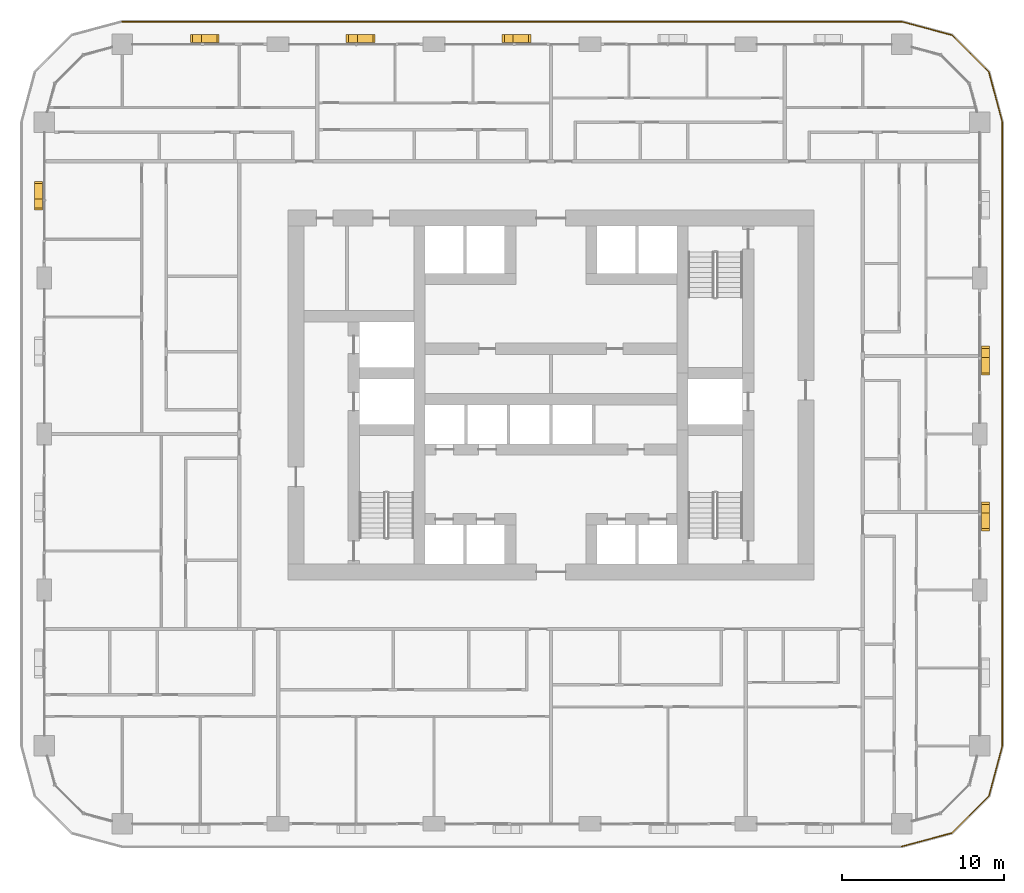
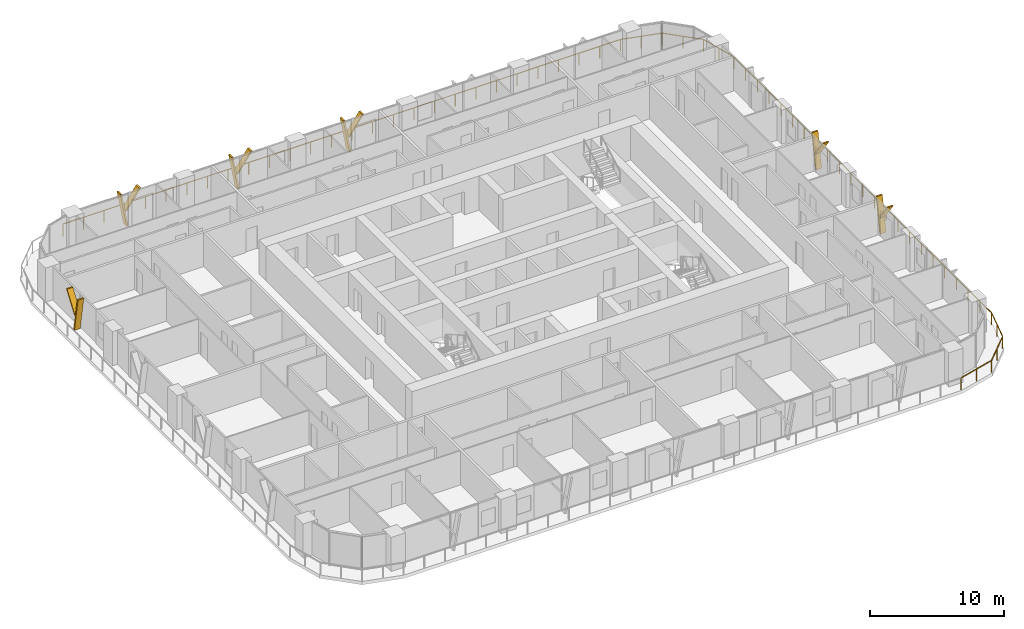
# One storey, part 20 of 21: 12 shading devices, 1 railing.
"""IFC4 building model written with IfcOpenShell, lengths in metres."""

from ifc_helpers import new_model, si_unit, direction, frame, origin, origin_2d, place, context, subcontext, project, spatial, polyline, circle, outline, extrude, material, type_object, element, save


model = new_model("IFC4")

# Units and contexts
model_context = context("Model", 3, precision=1e-05, world=origin(), true_north=direction((0.0, 1.0)))
body_context = subcontext(model_context, "Body", "Model", "MODEL_VIEW")
ifc_project = project(units=[si_unit("LENGTHUNIT", "METRE"), si_unit("AREAUNIT", "SQUARE_METRE"), si_unit("VOLUMEUNIT", "CUBIC_METRE"), si_unit("PLANEANGLEUNIT", "RADIAN"), si_unit("MASSUNIT", "GRAM", prefix="KILO")], contexts=[model_context])

# Site, building, storey
site_placement = place(None, origin())
site = spatial("IfcSite", under=ifc_project, at=site_placement, CompositionType="ELEMENT")
building_placement = place(site_placement, origin())
building = spatial("IfcBuilding", under=site, at=building_placement, Name="Madar Terraces", CompositionType="ELEMENT")
storey_placement = place(building_placement, frame((0.0, 0.0, 50.39990234375)))
storey = spatial("IfcBuildingStorey", under=building, at=storey_placement, Name="L12", CompositionType="ELEMENT", Elevation=50.39990234375)

# Railing
ifc_material_1 = material(Name="Glass, safety glazing, with stainless steel posts", Category="steel")
railing_type = type_object("IfcRailingType", Name="Balcony glass guard 1100", PredefinedType="GUARDRAIL", material=ifc_material_1)
railing_placement = place(storey_placement, frame((52.800048828125, -1.39990234375, 0.0)))
element("IfcRailing", 1, at=railing_placement, inside=storey, type_object=railing_type, Name="Balcony guard", PredefinedType="GUARDRAIL", context=body_context, shape_type="SweptSolid", body=[
    extrude(circle(Radius=0.02392578125, at=origin_2d()), frame((0.0, 0.0, 1.076171875), z_axis=(0.965928696102, 0.258808334578, 0.0), x_axis=(-0.258808334578, 0.965928696102, 0.0)), (0.0, 0.0, 1.0), 3.209228515625),
    extrude(circle(Radius=0.02392578125, at=origin_2d()), frame((3.099853515625, 0.83056640625, 1.076171875), z_axis=(0.707144815061, 0.707068745266, 0.0), x_axis=(-0.707068745266, 0.707144815061, 0.0)), (0.0, 0.0, 1.0), 3.20947265625),
    extrude(circle(Radius=0.02392578125, at=origin_2d()), frame((5.369384765625, 3.099853515625, 1.076171875), z_axis=(0.258789317819, 0.9659337912, 0.0), x_axis=(-0.9659337912, 0.258789317819, 0.0)), (0.0, 0.0, 1.0), 3.20947265625),
    extrude(circle(Radius=0.02392578125, at=origin_2d()), frame((6.199951171875, 6.199951171875, 1.076171875), z_axis=(0.0, 1.0, 0.0), x_axis=(-1.0, 0.0, 0.0)), (0.0, 0.0, 1.0), 38.39990234375),
    extrude(circle(Radius=0.02392578125, at=origin_2d()), frame((6.199951171875, 44.599853515625, 1.076171875), z_axis=(-0.258789317819, 0.9659337912, 0.0), x_axis=(-0.9659337912, -0.258789317819, 0.0)), (0.0, 0.0, 1.0), 3.20947265625),
    extrude(circle(Radius=0.02392578125, at=origin_2d()), frame((5.369384765625, 47.699951171875, 1.076171875), z_axis=(-0.707144815061, 0.707068745266, 0.0), x_axis=(-0.707068745266, -0.707144815061, 0.0)), (0.0, 0.0, 1.0), 3.20947265625),
    extrude(circle(Radius=0.02392578125, at=origin_2d()), frame((3.099853515625, 49.96923828125, 1.076171875), z_axis=(-0.965928696102, 0.258808334578, 0.0), x_axis=(-0.258808334578, -0.965928696102, 0.0)), (0.0, 0.0, 1.0), 3.209228515625),
    extrude(circle(Radius=0.02392578125, at=origin_2d()), frame((0.0, 50.7998046875, 1.076171875), z_axis=(-1.0, 0.0, 0.0), x_axis=(0.0, -1.0, 0.0)), (0.0, 0.0, 1.0), 48.0),
    extrude(circle(Radius=0.02099609375, at=origin_2d()), origin(), (0.0, 0.0, 1.0), 1.052001953125),
    extrude(circle(Radius=0.02099609375, at=origin_2d()), frame((1.5498046875, 0.415283203125, 0.0)), (0.0, 0.0, 1.0), 1.052001953125),
    extrude(circle(Radius=0.02099609375, at=origin_2d()), frame((3.099853515625, 0.83056640625, 0.0)), (0.0, 0.0, 1.0), 1.052001953125),
    extrude(circle(Radius=0.02099609375, at=origin_2d()), frame((4.234619140625, 1.96533203125, 0.0)), (0.0, 0.0, 1.0), 1.052001953125),
    extrude(circle(Radius=0.02099609375, at=origin_2d()), frame((5.369384765625, 3.099853515625, 0.0)), (0.0, 0.0, 1.0), 1.052001953125),
    extrude(circle(Radius=0.02099609375, at=origin_2d()), frame((5.78466796875, 4.64990234375, 0.0)), (0.0, 0.0, 1.0), 1.052001953125),
    extrude(circle(Radius=0.02099609375, at=origin_2d()), frame((6.199951171875, 6.199951171875, 0.0)), (0.0, 0.0, 1.0), 1.052001953125),
    extrude(circle(Radius=0.02099609375, at=origin_2d()), frame((6.199951171875, 7.9453125, 0.0)), (0.0, 0.0, 1.0), 1.052001953125),
    extrude(circle(Radius=0.02099609375, at=origin_2d()), frame((6.199951171875, 9.69091796875, 0.0)), (0.0, 0.0, 1.0), 1.052001953125),
    extrude(circle(Radius=0.02099609375, at=origin_2d()), frame((6.199951171875, 11.436279296875, 0.0)), (0.0, 0.0, 1.0), 1.052001953125),
    extrude(circle(Radius=0.02099609375, at=origin_2d()), frame((6.199951171875, 13.181640625, 0.0)), (0.0, 0.0, 1.0), 1.052001953125),
    extrude(circle(Radius=0.02099609375, at=origin_2d()), frame((6.199951171875, 14.92724609375, 0.0)), (0.0, 0.0, 1.0), 1.052001953125),
    extrude(circle(Radius=0.02099609375, at=origin_2d()), frame((6.199951171875, 16.672607421875, 0.0)), (0.0, 0.0, 1.0), 1.052001953125),
    extrude(circle(Radius=0.02099609375, at=origin_2d()), frame((6.199951171875, 18.418212890625, 0.0)), (0.0, 0.0, 1.0), 1.052001953125),
    extrude(circle(Radius=0.02099609375, at=origin_2d()), frame((6.199951171875, 20.16357421875, 0.0)), (0.0, 0.0, 1.0), 1.052001953125),
    extrude(circle(Radius=0.02099609375, at=origin_2d()), frame((6.199951171875, 21.908935546875, 0.0)), (0.0, 0.0, 1.0), 1.052001953125),
    extrude(circle(Radius=0.02099609375, at=origin_2d()), frame((6.199951171875, 23.654541015625, 0.0)), (0.0, 0.0, 1.0), 1.052001953125),
    extrude(circle(Radius=0.02099609375, at=origin_2d()), frame((6.199951171875, 25.39990234375, 0.0)), (0.0, 0.0, 1.0), 1.052001953125),
    extrude(circle(Radius=0.02099609375, at=origin_2d()), frame((6.199951171875, 27.145263671875, 0.0)), (0.0, 0.0, 1.0), 1.052001953125),
    extrude(circle(Radius=0.02099609375, at=origin_2d()), frame((6.199951171875, 28.890869140625, 0.0)), (0.0, 0.0, 1.0), 1.052001953125),
    extrude(circle(Radius=0.02099609375, at=origin_2d()), frame((6.199951171875, 30.63623046875, 0.0)), (0.0, 0.0, 1.0), 1.052001953125),
    extrude(circle(Radius=0.02099609375, at=origin_2d()), frame((6.199951171875, 32.381591796875, 0.0)), (0.0, 0.0, 1.0), 1.052001953125),
    extrude(circle(Radius=0.02099609375, at=origin_2d()), frame((6.199951171875, 34.127197265625, 0.0)), (0.0, 0.0, 1.0), 1.052001953125),
    extrude(circle(Radius=0.02099609375, at=origin_2d()), frame((6.199951171875, 35.87255859375, 0.0)), (0.0, 0.0, 1.0), 1.052001953125),
    extrude(circle(Radius=0.02099609375, at=origin_2d()), frame((6.199951171875, 37.6181640625, 0.0)), (0.0, 0.0, 1.0), 1.052001953125),
    extrude(circle(Radius=0.02099609375, at=origin_2d()), frame((6.199951171875, 39.363525390625, 0.0)), (0.0, 0.0, 1.0), 1.052001953125),
    extrude(circle(Radius=0.02099609375, at=origin_2d()), frame((6.199951171875, 41.10888671875, 0.0)), (0.0, 0.0, 1.0), 1.052001953125),
    extrude(circle(Radius=0.02099609375, at=origin_2d()), frame((6.199951171875, 42.8544921875, 0.0)), (0.0, 0.0, 1.0), 1.052001953125),
    extrude(circle(Radius=0.02099609375, at=origin_2d()), frame((6.199951171875, 44.599853515625, 0.0)), (0.0, 0.0, 1.0), 1.052001953125),
    extrude(circle(Radius=0.02099609375, at=origin_2d()), frame((5.78466796875, 46.14990234375, 0.0)), (0.0, 0.0, 1.0), 1.052001953125),
    extrude(circle(Radius=0.02099609375, at=origin_2d()), frame((5.369384765625, 47.699951171875, 0.0)), (0.0, 0.0, 1.0), 1.052001953125),
    extrude(circle(Radius=0.02099609375, at=origin_2d()), frame((4.234619140625, 48.83447265625, 0.0)), (0.0, 0.0, 1.0), 1.052001953125),
    extrude(circle(Radius=0.02099609375, at=origin_2d()), frame((3.099853515625, 49.96923828125, 0.0)), (0.0, 0.0, 1.0), 1.052001953125),
    extrude(circle(Radius=0.02099609375, at=origin_2d()), frame((1.5498046875, 50.384521484375, 0.0)), (0.0, 0.0, 1.0), 1.052001953125),
    extrude(circle(Radius=0.02099609375, at=origin_2d()), frame((0.0, 50.7998046875, 0.0)), (0.0, 0.0, 1.0), 1.052001953125),
    extrude(circle(Radius=0.02099609375, at=origin_2d()), frame((-1.77783203125, 50.7998046875, 0.0)), (0.0, 0.0, 1.0), 1.052001953125),
    extrude(circle(Radius=0.02099609375, at=origin_2d()), frame((-3.5556640625, 50.7998046875, 0.0)), (0.0, 0.0, 1.0), 1.052001953125),
    extrude(circle(Radius=0.02099609375, at=origin_2d()), frame((-5.333251953125, 50.7998046875, 0.0)), (0.0, 0.0, 1.0), 1.052001953125),
    extrude(circle(Radius=0.02099609375, at=origin_2d()), frame((-7.111083984375, 50.7998046875, 0.0)), (0.0, 0.0, 1.0), 1.052001953125),
    extrude(circle(Radius=0.02099609375, at=origin_2d()), frame((-8.888916015625, 50.7998046875, 0.0)), (0.0, 0.0, 1.0), 1.052001953125),
    extrude(circle(Radius=0.02099609375, at=origin_2d()), frame((-10.666748046875, 50.7998046875, 0.0)), (0.0, 0.0, 1.0), 1.052001953125),
    extrude(circle(Radius=0.02099609375, at=origin_2d()), frame((-12.4443359375, 50.7998046875, 0.0)), (0.0, 0.0, 1.0), 1.052001953125),
    extrude(circle(Radius=0.02099609375, at=origin_2d()), frame((-14.22216796875, 50.7998046875, 0.0)), (0.0, 0.0, 1.0), 1.052001953125),
    extrude(circle(Radius=0.02099609375, at=origin_2d()), frame((-16.0, 50.7998046875, 0.0)), (0.0, 0.0, 1.0), 1.052001953125),
    extrude(circle(Radius=0.02099609375, at=origin_2d()), frame((-17.77783203125, 50.7998046875, 0.0)), (0.0, 0.0, 1.0), 1.052001953125),
    extrude(circle(Radius=0.02099609375, at=origin_2d()), frame((-19.5556640625, 50.7998046875, 0.0)), (0.0, 0.0, 1.0), 1.052001953125),
    extrude(circle(Radius=0.02099609375, at=origin_2d()), frame((-21.333251953125, 50.7998046875, 0.0)), (0.0, 0.0, 1.0), 1.052001953125),
    extrude(circle(Radius=0.02099609375, at=origin_2d()), frame((-23.111083984375, 50.7998046875, 0.0)), (0.0, 0.0, 1.0), 1.052001953125),
    extrude(circle(Radius=0.02099609375, at=origin_2d()), frame((-24.888916015625, 50.7998046875, 0.0)), (0.0, 0.0, 1.0), 1.052001953125),
    extrude(circle(Radius=0.02099609375, at=origin_2d()), frame((-26.666748046875, 50.7998046875, 0.0)), (0.0, 0.0, 1.0), 1.052001953125),
    extrude(circle(Radius=0.02099609375, at=origin_2d()), frame((-28.4443359375, 50.7998046875, 0.0)), (0.0, 0.0, 1.0), 1.052001953125),
    extrude(circle(Radius=0.02099609375, at=origin_2d()), frame((-30.22216796875, 50.7998046875, 0.0)), (0.0, 0.0, 1.0), 1.052001953125),
    extrude(circle(Radius=0.02099609375, at=origin_2d()), frame((-32.0, 50.7998046875, 0.0)), (0.0, 0.0, 1.0), 1.052001953125),
    extrude(circle(Radius=0.02099609375, at=origin_2d()), frame((-33.77783203125, 50.7998046875, 0.0)), (0.0, 0.0, 1.0), 1.052001953125),
    extrude(circle(Radius=0.02099609375, at=origin_2d()), frame((-35.5556640625, 50.7998046875, 0.0)), (0.0, 0.0, 1.0), 1.052001953125),
    extrude(circle(Radius=0.02099609375, at=origin_2d()), frame((-37.333251953125, 50.7998046875, 0.0)), (0.0, 0.0, 1.0), 1.052001953125),
    extrude(circle(Radius=0.02099609375, at=origin_2d()), frame((-39.111083984375, 50.7998046875, 0.0)), (0.0, 0.0, 1.0), 1.052001953125),
    extrude(circle(Radius=0.02099609375, at=origin_2d()), frame((-40.888916015625, 50.7998046875, 0.0)), (0.0, 0.0, 1.0), 1.052001953125),
    extrude(circle(Radius=0.02099609375, at=origin_2d()), frame((-42.666748046875, 50.7998046875, 0.0)), (0.0, 0.0, 1.0), 1.052001953125),
    extrude(circle(Radius=0.02099609375, at=origin_2d()), frame((-44.4443359375, 50.7998046875, 0.0)), (0.0, 0.0, 1.0), 1.052001953125),
    extrude(circle(Radius=0.02099609375, at=origin_2d()), frame((-46.22216796875, 50.7998046875, 0.0)), (0.0, 0.0, 1.0), 1.052001953125),
    extrude(circle(Radius=0.02099609375, at=origin_2d()), frame((-48.0, 50.7998046875, 0.0)), (0.0, 0.0, 1.0), 1.052001953125),
])

# Shading devices
ifc_material_2 = material(Name="Aluminium, black anodised", Category="aluminium")
shading_device_type = type_object("IfcShadingDeviceType", Name="Facade fin blade 140 x 500", PredefinedType="USERDEFINED", material=ifc_material_2)
shading_device_1_placement = place(storey_placement, frame((57.949951171875, 19.1298828125, 0.0), z_axis=(0.0, 0.0, 1.0), x_axis=(0.0, 1.0, 0.0)))
element("IfcShadingDevice", 2, at=shading_device_1_placement, inside=storey, type_object=shading_device_type, Name="FIN L12 E2", ObjectType="FIN", PredefinedType="USERDEFINED", context=body_context, shape_type="SweptSolid", body=[
    extrude(outline(polyline([(0.0, 0.0), (0.14013671875, 0.0), (0.68310546875, 3.080078125), (0.54296875, 3.080078125), (0.0, 0.0)])), frame((0.0, 0.25, 0.0), z_axis=(0.0, -1.0, 0.0), x_axis=(1.0, 0.0, 0.0)), (0.0, 0.0, 1.0), 0.5),
])
shading_device_2_placement = place(storey_placement, frame((57.949951171875, 19.234375, 1.385986328125), z_axis=(0.0, 0.0, 1.0), x_axis=(0.0, 1.0, 0.0)))
element("IfcShadingDevice", 3, at=shading_device_2_placement, inside=storey, type_object=shading_device_type, Name="FIN L12 E2 branch", ObjectType="FIN", PredefinedType="USERDEFINED", context=body_context, shape_type="SweptSolid", body=[
    extrude(outline(polyline([(0.0, 0.0), (0.139892578125, 0.0), (-1.061279296875, 1.694091796875), (-1.201416015625, 1.694091796875), (0.0, 0.0)])), frame((0.0, 0.25, 0.0), z_axis=(0.0, -1.0, 0.0), x_axis=(1.0, 0.0, 0.0)), (0.0, 0.0, 1.0), 0.5),
])
shading_device_3_placement = place(storey_placement, frame((57.949951171875, 28.72998046875, 0.0), z_axis=(0.0, 0.0, 1.0), x_axis=(0.0, 1.0, 0.0)))
element("IfcShadingDevice", 4, at=shading_device_3_placement, inside=storey, type_object=shading_device_type, Name="FIN L12 E3", ObjectType="FIN", PredefinedType="USERDEFINED", context=body_context, shape_type="SweptSolid", body=[
    extrude(outline(polyline([(0.0, 0.0), (0.14013671875, 0.0), (0.68310546875, 3.080078125), (0.54296875, 3.080078125), (0.0, 0.0)])), frame((0.0, 0.25, 0.0), z_axis=(0.0, -1.0, 0.0), x_axis=(1.0, 0.0, 0.0)), (0.0, 0.0, 1.0), 0.5),
])
shading_device_4_placement = place(storey_placement, frame((57.949951171875, 28.83447265625, 1.385986328125), z_axis=(0.0, 0.0, 1.0), x_axis=(0.0, 1.0, 0.0)))
element("IfcShadingDevice", 5, at=shading_device_4_placement, inside=storey, type_object=shading_device_type, Name="FIN L12 E3 branch", ObjectType="FIN", PredefinedType="USERDEFINED", context=body_context, shape_type="SweptSolid", body=[
    extrude(outline(polyline([(0.0, 0.0), (0.139892578125, 0.0), (-1.061279296875, 1.694091796875), (-1.201416015625, 1.694091796875), (0.0, 0.0)])), frame((0.0, 0.25, 0.0), z_axis=(0.0, -1.0, 0.0), x_axis=(1.0, 0.0, 0.0)), (0.0, 0.0, 1.0), 0.5),
])
shading_device_5_placement = place(storey_placement, frame((28.8701171875, 48.35009765625, 0.0), z_axis=(0.0, 0.0, 1.0), x_axis=(-1.0, 0.0, 0.0)))
element("IfcShadingDevice", 6, at=shading_device_5_placement, inside=storey, type_object=shading_device_type, Name="FIN L12 N3", ObjectType="FIN", PredefinedType="USERDEFINED", context=body_context, shape_type="SweptSolid", body=[
    extrude(outline(polyline([(0.0, 0.0), (0.14013671875, 0.0), (0.68310546875, 3.080078125), (0.54296875, 3.080078125), (0.0, 0.0)])), frame((0.0, 0.25, 0.0), z_axis=(0.0, -1.0, 0.0), x_axis=(1.0, 0.0, 0.0)), (0.0, 0.0, 1.0), 0.5),
])
shading_device_6_placement = place(storey_placement, frame((28.765625, 48.35009765625, 1.385986328125), z_axis=(0.0, 0.0, 1.0), x_axis=(-1.0, 0.0, 0.0)))
element("IfcShadingDevice", 7, at=shading_device_6_placement, inside=storey, type_object=shading_device_type, Name="FIN L12 N3 branch", ObjectType="FIN", PredefinedType="USERDEFINED", context=body_context, shape_type="SweptSolid", body=[
    extrude(outline(polyline([(0.0, 0.0), (0.139892578125, 0.0), (-1.061279296875, 1.694091796875), (-1.201416015625, 1.694091796875), (0.0, 0.0)])), frame((0.0, 0.25, 0.0), z_axis=(0.0, -1.0, 0.0), x_axis=(1.0, 0.0, 0.0)), (0.0, 0.0, 1.0), 0.5),
])
shading_device_7_placement = place(storey_placement, frame((19.27001953125, 48.35009765625, 0.0), z_axis=(0.0, 0.0, 1.0), x_axis=(-1.0, 0.0, 0.0)))
element("IfcShadingDevice", 8, at=shading_device_7_placement, inside=storey, type_object=shading_device_type, Name="FIN L12 N4", ObjectType="FIN", PredefinedType="USERDEFINED", context=body_context, shape_type="SweptSolid", body=[
    extrude(outline(polyline([(0.0, 0.0), (0.14013671875, 0.0), (0.68310546875, 3.080078125), (0.54296875, 3.080078125), (0.0, 0.0)])), frame((0.0, 0.25, 0.0), z_axis=(0.0, -1.0, 0.0), x_axis=(1.0, 0.0, 0.0)), (0.0, 0.0, 1.0), 0.5),
])
shading_device_8_placement = place(storey_placement, frame((19.16552734375, 48.35009765625, 1.385986328125), z_axis=(0.0, 0.0, 1.0), x_axis=(-1.0, 0.0, 0.0)))
element("IfcShadingDevice", 9, at=shading_device_8_placement, inside=storey, type_object=shading_device_type, Name="FIN L12 N4 branch", ObjectType="FIN", PredefinedType="USERDEFINED", context=body_context, shape_type="SweptSolid", body=[
    extrude(outline(polyline([(0.0, 0.0), (0.139892578125, 0.0), (-1.061279296875, 1.694091796875), (-1.201416015625, 1.694091796875), (0.0, 0.0)])), frame((0.0, 0.25, 0.0), z_axis=(0.0, -1.0, 0.0), x_axis=(1.0, 0.0, 0.0)), (0.0, 0.0, 1.0), 0.5),
])
shading_device_9_placement = place(storey_placement, frame((9.669921875, 48.35009765625, 0.0), z_axis=(0.0, 0.0, 1.0), x_axis=(-1.0, 0.0, 0.0)))
element("IfcShadingDevice", 10, at=shading_device_9_placement, inside=storey, type_object=shading_device_type, Name="FIN L12 N5", ObjectType="FIN", PredefinedType="USERDEFINED", context=body_context, shape_type="SweptSolid", body=[
    extrude(outline(polyline([(0.0, 0.0), (0.139892578125, 0.0), (0.68310546875, 3.080078125), (0.54296875, 3.080078125), (0.0, 0.0)])), frame((0.0, 0.25, 0.0), z_axis=(0.0, -1.0, 0.0), x_axis=(1.0, 0.0, 0.0)), (0.0, 0.0, 1.0), 0.5),
])
shading_device_10_placement = place(storey_placement, frame((9.565673828125, 48.35009765625, 1.385986328125), z_axis=(0.0, 0.0, 1.0), x_axis=(-1.0, 0.0, 0.0)))
element("IfcShadingDevice", 11, at=shading_device_10_placement, inside=storey, type_object=shading_device_type, Name="FIN L12 N5 branch", ObjectType="FIN", PredefinedType="USERDEFINED", context=body_context, shape_type="SweptSolid", body=[
    extrude(outline(polyline([(0.0, 0.0), (0.14013671875, 0.0), (-1.061279296875, 1.694091796875), (-1.201416015625, 1.694091796875), (0.0, 0.0)])), frame((0.0, 0.25, 0.0), z_axis=(0.0, -1.0, 0.0), x_axis=(1.0, 0.0, 0.0)), (0.0, 0.0, 1.0), 0.5),
])
shading_device_11_placement = place(storey_placement, frame((-0.35009765625, 38.469970703125, 0.0), z_axis=(0.0, 0.0, 1.0), x_axis=(0.0, -1.0, 0.0)))
element("IfcShadingDevice", 12, at=shading_device_11_placement, inside=storey, type_object=shading_device_type, Name="FIN L12 W1", ObjectType="FIN", PredefinedType="USERDEFINED", context=body_context, shape_type="SweptSolid", body=[
    extrude(outline(polyline([(0.0, 0.0), (0.139892578125, 0.0), (0.68310546875, 3.080078125), (0.54296875, 3.080078125), (0.0, 0.0)])), frame((0.0, 0.25, 0.0), z_axis=(0.0, -1.0, 0.0), x_axis=(1.0, 0.0, 0.0)), (0.0, 0.0, 1.0), 0.5),
])
shading_device_12_placement = place(storey_placement, frame((-0.35009765625, 38.36572265625, 1.385986328125), z_axis=(0.0, 0.0, 1.0), x_axis=(0.0, -1.0, 0.0)))
element("IfcShadingDevice", 13, at=shading_device_12_placement, inside=storey, type_object=shading_device_type, Name="FIN L12 W1 branch", ObjectType="FIN", PredefinedType="USERDEFINED", context=body_context, shape_type="SweptSolid", body=[
    extrude(outline(polyline([(0.0, 0.0), (0.14013671875, 0.0), (-1.061279296875, 1.694091796875), (-1.201416015625, 1.694091796875), (0.0, 0.0)])), frame((0.0, 0.25, 0.0), z_axis=(0.0, -1.0, 0.0), x_axis=(1.0, 0.0, 0.0)), (0.0, 0.0, 1.0), 0.5),
])

save(model, "model.ifc")
